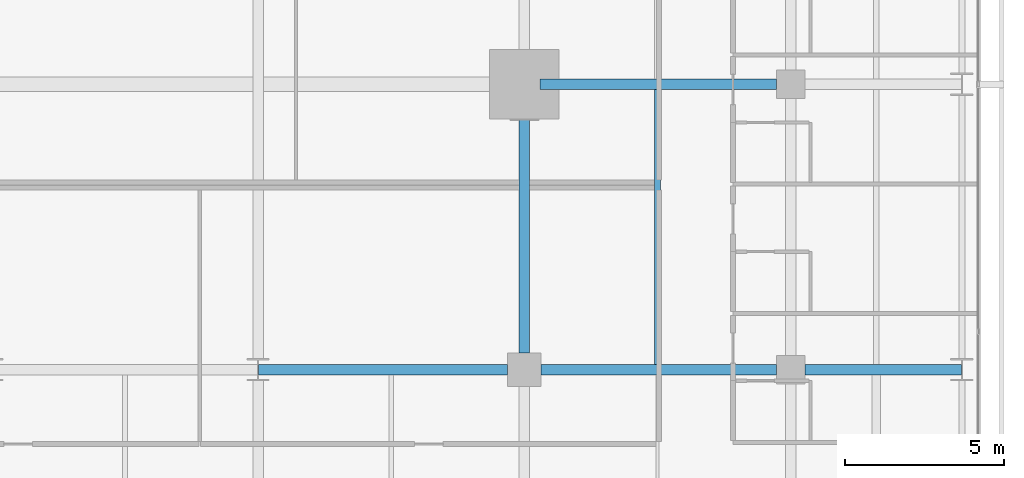
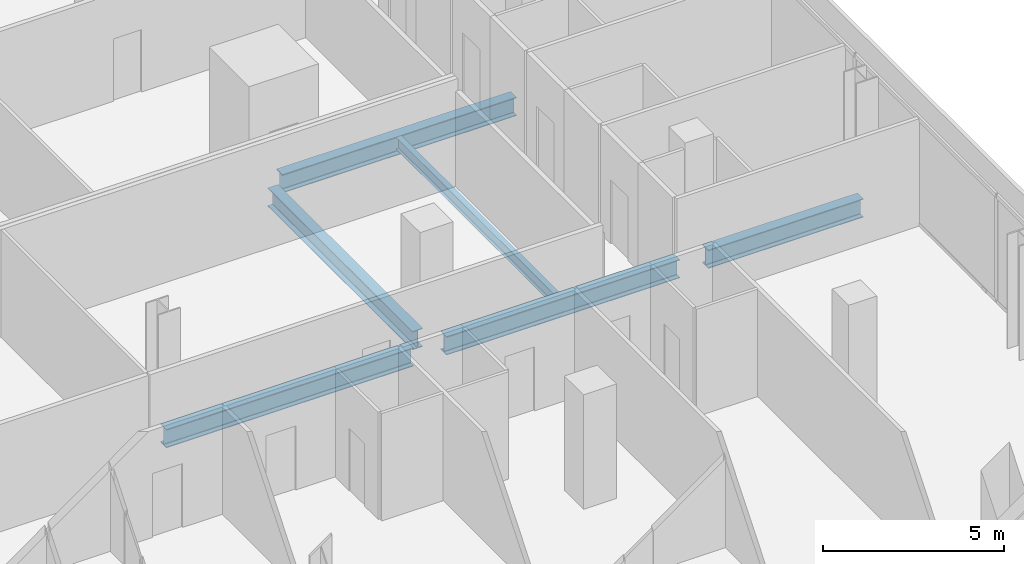
# One storey, part 18 of 40: 6 beams.
"""IFC4 building model written with IfcOpenShell, lengths in metres."""

from ifc_helpers import new_model, si_unit, direction, frame, origin, origin_2d, place, context, subcontext, project, spatial, i_section, extrude, material, material_profile, profile_set, type_object, element, save


model = new_model("IFC4")

# Units and contexts
model_context = context("Model", 3, precision=1e-05, world=origin(), true_north=direction((0.0, 1.0)))
body_context = subcontext(model_context, "Body", "Model", "MODEL_VIEW")
ifc_project = project(units=[si_unit("LENGTHUNIT", "METRE"), si_unit("AREAUNIT", "SQUARE_METRE"), si_unit("VOLUMEUNIT", "CUBIC_METRE"), si_unit("PLANEANGLEUNIT", "RADIAN"), si_unit("MASSUNIT", "GRAM", prefix="KILO")], contexts=[model_context])

# Site, building, storey
site_placement = place(None, origin())
site = spatial("IfcSite", under=ifc_project, at=site_placement, CompositionType="ELEMENT")
building_placement = place(site_placement, origin())
building = spatial("IfcBuilding", under=site, at=building_placement, Name="Maruvema Waterfront Hotel and Observation Tower", CompositionType="ELEMENT")
storey_placement = place(building_placement, frame((0.0, 0.0, 53.89990234375)))
storey = spatial("IfcBuildingStorey", under=building, at=storey_placement, Name="L12", CompositionType="ELEMENT", Elevation=53.89990234375)

# Beams
ifc_material_1 = material(Name="Steel ASTM A572 Grade 50", Category="steel")
ifc_material_profile_1 = material_profile(ifc_material_1, i_section(OverallWidth=0.326904296875, OverallDepth=0.6220703125, WebThickness=0.015380859375, FlangeThickness=0.0244140625, FilletRadius=0.01806640625, at=origin_2d()), Name="W610x195.0")
ifc_profile_set_1 = profile_set([ifc_material_profile_1], Name="Steel ASTM A572 Grade 50")
beam_type_1 = type_object("IfcBeamType", Name="Primary Floor Girder W610x195.0", PredefinedType="BEAM", material=ifc_profile_set_1)
beam_1_placement = place(storey_placement, frame((42.013916015625, 18.0, -0.55078125), z_axis=(1.0, 0.0, 0.0), x_axis=(0.0, 1.0, 0.0)))
element("IfcBeam", 1, at=beam_1_placement, inside=storey, type_object=beam_type_1, Name="L12 Floor Girder EW-17", PredefinedType="BEAM", context=body_context, shape_type="SweptSolid", body=[
    extrude(i_section(OverallWidth=0.326904296875, OverallDepth=0.6220703125, WebThickness=0.015380859375, FlangeThickness=0.0244140625, FilletRadius=0.01806640625, at=origin_2d()), origin(), (0.0, 0.0, 1.0), 7.861083984375),
])
beam_2_placement = place(storey_placement, frame((50.925048828125, 18.0, -0.55078125), z_axis=(1.0, 0.0, 0.0), x_axis=(0.0, 1.0, 0.0)))
element("IfcBeam", 2, at=beam_2_placement, inside=storey, type_object=beam_type_1, Name="L12 Floor Girder EW-18", PredefinedType="BEAM", context=body_context, shape_type="SweptSolid", body=[
    extrude(i_section(OverallWidth=0.326904296875, OverallDepth=0.6220703125, WebThickness=0.015380859375, FlangeThickness=0.0244140625, FilletRadius=0.01806640625, at=origin_2d()), origin(), (0.0, 0.0, 1.0), 7.425048828125),
])
beam_3_placement = place(storey_placement, frame((59.25, 18.0, -0.55078125), z_axis=(1.0, 0.0, 0.0), x_axis=(0.0, 1.0, 0.0)))
element("IfcBeam", 3, at=beam_3_placement, inside=storey, type_object=beam_type_1, Name="L12 Floor Girder EW-19", PredefinedType="BEAM", context=body_context, shape_type="SweptSolid", body=[
    extrude(i_section(OverallWidth=0.326904296875, OverallDepth=0.6220703125, WebThickness=0.015380859375, FlangeThickness=0.0244140625, FilletRadius=0.01806640625, at=origin_2d()), origin(), (0.0, 0.0, 1.0), 4.93603515625),
])
beam_4_placement = place(storey_placement, frame((50.89990234375, 27.0, -0.55078125), z_axis=(1.0, 0.0, 0.0), x_axis=(0.0, 1.0, 0.0)))
element("IfcBeam", 4, at=beam_4_placement, inside=storey, type_object=beam_type_1, Name="L12 Floor Girder EW-23", PredefinedType="BEAM", context=body_context, shape_type="SweptSolid", body=[
    extrude(i_section(OverallWidth=0.326904296875, OverallDepth=0.6220703125, WebThickness=0.015380859375, FlangeThickness=0.0244140625, FilletRadius=0.01806640625, at=origin_2d()), origin(), (0.0, 0.0, 1.0), 7.4501953125),
])
beam_5_placement = place(storey_placement, frame((50.39990234375, 18.52490234375, -0.55078125), z_axis=(0.0, 1.0, 0.0), x_axis=(-1.0, 0.0, 0.0)))
element("IfcBeam", 5, at=beam_5_placement, inside=storey, type_object=beam_type_1, Name="L12 Floor Girder NS-24", PredefinedType="BEAM", context=body_context, shape_type="SweptSolid", body=[
    extrude(i_section(OverallWidth=0.326904296875, OverallDepth=0.6220703125, WebThickness=0.015380859375, FlangeThickness=0.0244140625, FilletRadius=0.01806640625, at=origin_2d()), origin(), (0.0, 0.0, 1.0), 7.97509765625),
])
ifc_material_2 = material(Name="Steel ASTM A572 Grade 50", Category="steel")
ifc_material_profile_2 = material_profile(ifc_material_2, i_section(OverallWidth=0.177001953125, OverallDepth=0.403076171875, WebThickness=0.007568359375, FlangeThickness=0.010986328125, FilletRadius=0.014892578125, at=origin_2d()), Name="W410x53.0")
ifc_profile_set_2 = profile_set([ifc_material_profile_2], Name="Steel ASTM A572 Grade 50")
beam_type_2 = type_object("IfcBeamType", Name="Secondary Floor Joist W410x53.0", PredefinedType="JOIST", material=ifc_profile_set_2)
beam_6_placement = place(storey_placement, frame((54.60009765625, 18.16357421875, -0.44140625), z_axis=(0.0, 1.0, 0.0), x_axis=(-1.0, 0.0, 0.0)))
element("IfcBeam", 6, at=beam_6_placement, inside=storey, type_object=beam_type_2, Name="L12 Secondary Floor Joist JS-18", PredefinedType="JOIST", context=body_context, shape_type="SweptSolid", body=[
    extrude(i_section(OverallWidth=0.177001953125, OverallDepth=0.403076171875, WebThickness=0.007568359375, FlangeThickness=0.010986328125, FilletRadius=0.014892578125, at=origin_2d()), origin(), (0.0, 0.0, 1.0), 8.6728515625),
])

save(model, "model.ifc")
